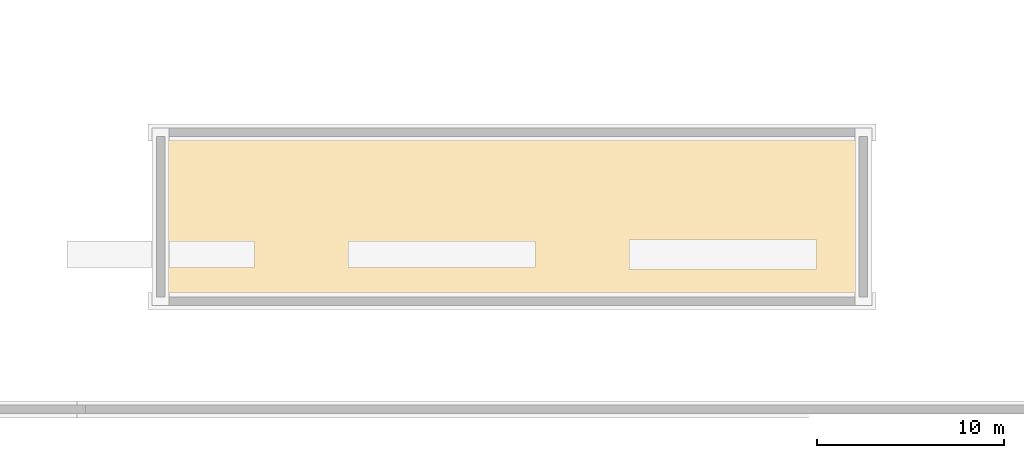
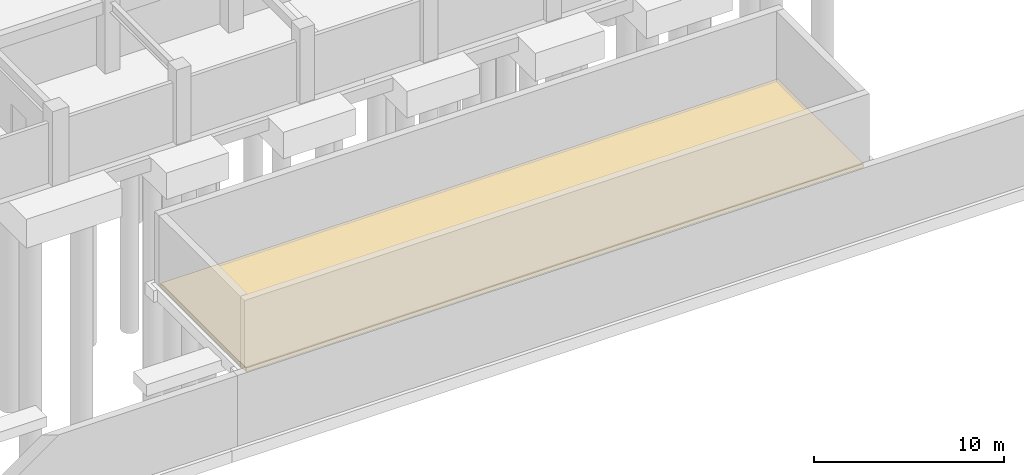
# One storey, part 32 of 38: 1 covering.
"""IFC4 building model written with IfcOpenShell, lengths in metres."""

import ifcopenshell
import ifcopenshell.guid

model = None  # the IFC model being written
_history = None  # IfcOwnerHistory: only IFC2X3 demands one
_inside = {}  # id of a spatial element -> (the spatial element, [elements in it])
_under = {}  # id of a project, library or spatial element -> (it, [spatial elements below it])
_declared = {}  # id of a project -> (the project, [libraries it declares])
_typed = {}  # id of a type object -> (the type object, [elements of that type])
_made_of = {}  # id of a material, layer set ... -> (it, [elements and type objects made of it])


def new_model(schema):
    """Start an empty IFC model of exactly this schema.

    Asked for "IFC4X3", IfcOpenShell would pick the latest addendum, in which some entities
    have other attributes; the version numbers below select the first issue.
    IFC2X3 requires an IfcOwnerHistory on every rooted entity: one is made here for all.
    """
    global model, _history
    if schema == "IFC4X3":
        model = ifcopenshell.file(schema_version=(4, 3, 0, 0))
    else:
        model = ifcopenshell.file(schema=schema)
    _inside.clear()
    _under.clear()
    _declared.clear()
    _typed.clear()
    _made_of.clear()
    _history = None
    if model.schema == "IFC2X3":
        org = make("IfcOrganization", Name="unknown")
        user = make(
            "IfcPersonAndOrganization",
            ThePerson=make("IfcPerson", FamilyName="unknown"),
            TheOrganization=org,
        )
        app = make(
            "IfcApplication",
            ApplicationDeveloper=org,
            Version="unknown",
            ApplicationFullName="unknown",
            ApplicationIdentifier="unknown",
        )
        _history = make(
            "IfcOwnerHistory",
            OwningUser=user,
            OwningApplication=app,
            ChangeAction="ADDED",
            CreationDate=0,
        )
    return model


def make(cls, **values):
    """One entity of the class cls with the attributes given. An attribute that is None is left unset."""
    return model.create_entity(
        cls, **{name: value for name, value in values.items() if value is not None}
    )


def rooted(cls, **values):
    """An entity with a GlobalId (a new one), such as an element, a storey or a relation."""
    return make(cls, GlobalId=ifcopenshell.guid.new(), OwnerHistory=_history, **values)


def si_unit(unit_type, name, prefix=None):
    """IfcSIUnit, for example si_unit("LENGTHUNIT", "METRE", prefix="MILLI")."""
    return make("IfcSIUnit", UnitType=unit_type, Prefix=prefix, Name=name)


def assignment(units):
    """IfcUnitAssignment: the units of a project."""
    return None if units is None else make("IfcUnitAssignment", Units=units)


def point(xyz):
    """IfcCartesianPoint."""
    return None if xyz is None else make("IfcCartesianPoint", Coordinates=xyz)


def direction(xyz):
    """IfcDirection."""
    return None if xyz is None else make("IfcDirection", DirectionRatios=xyz)


def frame(location, z_axis=None, x_axis=None):
    """IfcAxis2Placement3D, a coordinate frame: its origin and axes. An axis left out is left unset."""
    return make(
        "IfcAxis2Placement3D",
        Location=point(location),
        Axis=direction(z_axis),
        RefDirection=direction(x_axis),
    )


def origin():
    """The frame at (0, 0, 0) with its axes left unset."""
    return frame((0.0, 0.0, 0.0))


def place(relative_to, where):
    """IfcLocalPlacement: puts the frame where relative to a parent placement (None: the world)."""
    return make(
        "IfcLocalPlacement", PlacementRelTo=relative_to, RelativePlacement=where
    )


def context(
    kind, dimensions, precision=None, world=None, true_north=None, identifier=None
):
    """IfcGeometricRepresentationContext, for example the 3D "Model" context."""
    return make(
        "IfcGeometricRepresentationContext",
        ContextIdentifier=identifier,
        ContextType=kind,
        CoordinateSpaceDimension=dimensions,
        Precision=precision,
        WorldCoordinateSystem=world,
        TrueNorth=true_north,
    )


def subcontext(parent, identifier, kind, view, scale=None):
    """IfcGeometricRepresentationSubContext, for example "Body" below "Model"."""
    return make(
        "IfcGeometricRepresentationSubContext",
        ContextIdentifier=identifier,
        ContextType=kind,
        ParentContext=parent,
        TargetScale=scale,
        TargetView=view,
    )


def project(units=None, contexts=None):
    """IfcProject with its units and contexts."""
    return rooted(
        "IfcProject",
        Name="project",
        RepresentationContexts=contexts,
        UnitsInContext=assignment(units),
    )


def spatial(cls, under=None, at=None, **own):
    """A site, building, storey or space (cls), placed at a placement, below another one or the project."""
    s = rooted(cls, ObjectPlacement=at, **own)
    if under is not None:
        _under.setdefault(under.id(), (under, []))[1].append(s)
    return s


def polyline(points):
    """IfcPolyline through the points."""
    return make("IfcPolyline", Points=[point(p) for p in points])


def outline(outer, holes=None, kind="AREA"):
    """IfcArbitraryClosedProfileDef: a profile drawn as a closed curve; with holes, ...WithVoids."""
    if holes is None:
        return make("IfcArbitraryClosedProfileDef", ProfileType=kind, OuterCurve=outer)
    return make(
        "IfcArbitraryProfileDefWithVoids",
        ProfileType=kind,
        OuterCurve=outer,
        InnerCurves=holes,
    )


def extrude(swept, where, along, depth):
    """IfcExtrudedAreaSolid: the profile swept, set in the frame where, extruded along a direction by depth."""
    return make(
        "IfcExtrudedAreaSolid",
        SweptArea=swept,
        Position=where,
        ExtrudedDirection=direction(along),
        Depth=depth,
    )


def shape(context_of_items, identifier, shape_type, items):
    """IfcShapeRepresentation: the items that make up one representation, for example the "Body"."""
    return make(
        "IfcShapeRepresentation",
        ContextOfItems=context_of_items,
        RepresentationIdentifier=identifier,
        RepresentationType=shape_type,
        Items=items,
    )


def material(Name=None, Category=None):
    """IfcMaterial."""
    return make("IfcMaterial", Name=Name, Category=Category)


def layer(
    of_material, thickness, ventilated=None, Name=None, Category=None, Priority=None
):
    """IfcMaterialLayer: one layer of a wall or slab, of a material (None: an air gap)."""
    return make(
        "IfcMaterialLayer",
        Material=of_material,
        LayerThickness=thickness,
        IsVentilated=ventilated,
        Name=Name,
        Category=Category,
        Priority=Priority,
    )


def layer_set(layers, Name=None):
    """IfcMaterialLayerSet."""
    return make("IfcMaterialLayerSet", MaterialLayers=layers, LayerSetName=Name)


def made_of(thing, what):
    """Note that an element or type object is made of a material, layer set ...; save() writes the relation."""
    if what is not None:
        _made_of.setdefault(what.id(), (what, []))[1].append(thing)
    return thing


def type_object(cls, material=None, **own):
    """A type object (cls), such as IfcWallType, which elements share."""
    return made_of(rooted(cls, **own), material)


def element(
    cls,
    number,
    at=None,
    inside=None,
    cuts=None,
    type_object=None,
    material=None,
    context=None,
    identifier="Body",
    shape_type=None,
    held_by="IfcProductDefinitionShape",
    body=None,
    shapes=None,
    **own,
):
    """One element of the class cls, such as IfcWall. Its Tag is "e" and its number.

    at: its placement. inside: the storey or other place that contains it. cuts: it is an
    opening in that element (IfcRelVoidsElement). A single representation is given by context,
    identifier, shape_type and body (its items); several are given by shapes. held_by: the class
    of the entity that holds the representations. save() writes the other relations.
    """
    e = rooted(cls, Tag="e%d" % number, ObjectPlacement=at, **own)
    if body is not None:
        shapes = [shape(context, identifier, shape_type, body)]
    if shapes is not None:
        e.Representation = make(held_by, Representations=shapes)
    if inside is not None:
        _inside.setdefault(inside.id(), (inside, []))[1].append(e)
    if cuts is not None:
        rooted(
            "IfcRelVoidsElement", RelatingBuildingElement=cuts, RelatedOpeningElement=e
        )
    if type_object is not None:
        _typed.setdefault(type_object.id(), (type_object, []))[1].append(e)
    return made_of(e, material)


def aggregate(whole, parts):
    """IfcRelAggregates: a whole, such as a stair, and the parts it consists of."""
    return rooted("IfcRelAggregates", RelatingObject=whole, RelatedObjects=parts)


def save(model, path):
    """Write the relations noted so far, then the file.

    IfcRelAggregates (storeys below a building ...), IfcRelContainedInSpatialStructure (elements
    in a storey), IfcRelDefinesByType, IfcRelAssociatesMaterial and IfcRelDeclares: one each for
    every whole, place, type object, material and project.
    """
    for whole, parts in _under.values():
        aggregate(whole, parts)
    for where, things in _inside.values():
        rooted(
            "IfcRelContainedInSpatialStructure",
            RelatedElements=things,
            RelatingStructure=where,
        )
    for kind, things in _typed.values():
        rooted("IfcRelDefinesByType", RelatedObjects=things, RelatingType=kind)
    for what, things in _made_of.values():
        rooted("IfcRelAssociatesMaterial", RelatedObjects=things, RelatingMaterial=what)
    for by, libraries in _declared.values():
        rooted("IfcRelDeclares", RelatingContext=by, RelatedDefinitions=libraries)
    model.write(path)


model = new_model("IFC4")

# Units and contexts
model_context = context("Model", 3, precision=1e-05, world=origin(), true_north=direction((0.0, 1.0)))
body_context = subcontext(model_context, "Body", "Model", "MODEL_VIEW")
ifc_project = project(units=[si_unit("LENGTHUNIT", "METRE"), si_unit("AREAUNIT", "SQUARE_METRE"), si_unit("VOLUMEUNIT", "CUBIC_METRE"), si_unit("PLANEANGLEUNIT", "RADIAN"), si_unit("MASSUNIT", "GRAM", prefix="KILO")], contexts=[model_context])

# Site, building, storey
site_placement = place(None, origin())
site = spatial("IfcSite", under=ifc_project, at=site_placement, CompositionType="ELEMENT")
building_placement = place(site_placement, origin())
building = spatial("IfcBuilding", under=site, at=building_placement, Name="Qasida Concert Hall", CompositionType="ELEMENT")
storey_placement = place(building_placement, frame((0.0, 0.0, -4.800048828125)))
storey = spatial("IfcBuildingStorey", under=building, at=storey_placement, Name="B1", CompositionType="ELEMENT", Elevation=-4.800048828125)

# Covering
ifc_material = material(Name="Bush-hammered Lebanese limestone plaza paving", Category="masonry")
ifc_layer = layer(ifc_material, 0.25, Name="Bush-hammered Lebanese limestone plaza paving")
ifc_layer_set = layer_set([ifc_layer], Name="Bush-hammered Lebanese limestone plaza paving")
covering_type = type_object("IfcCoveringType", Name="CV-PAV-250", PredefinedType="FLOORING", material=ifc_layer_set)
covering_placement = place(storey_placement, frame((0.0, 0.0, -0.25)))
element("IfcCovering", 1, at=covering_placement, inside=storey, type_object=covering_type, Name="B1 Sunken metro concourse forecourt floor", PredefinedType="FLOORING", context=body_context, shape_type="SweptSolid", body=[
    extrude(outline(polyline([(60.0, 2.5), (97.5, 2.5), (97.5, 11.5), (60.0, 11.5), (60.0, 2.5)])), origin(), (0.0, 0.0, 1.0), 0.25),
])

save(model, "model.ifc")
